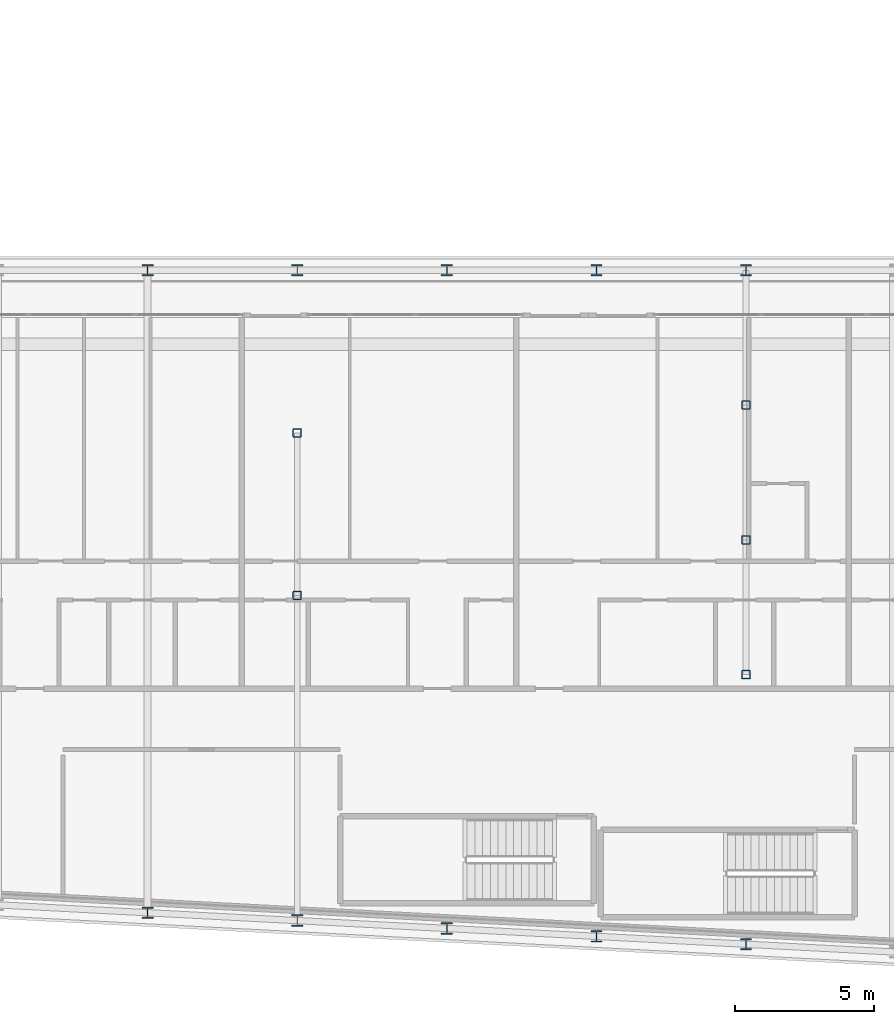
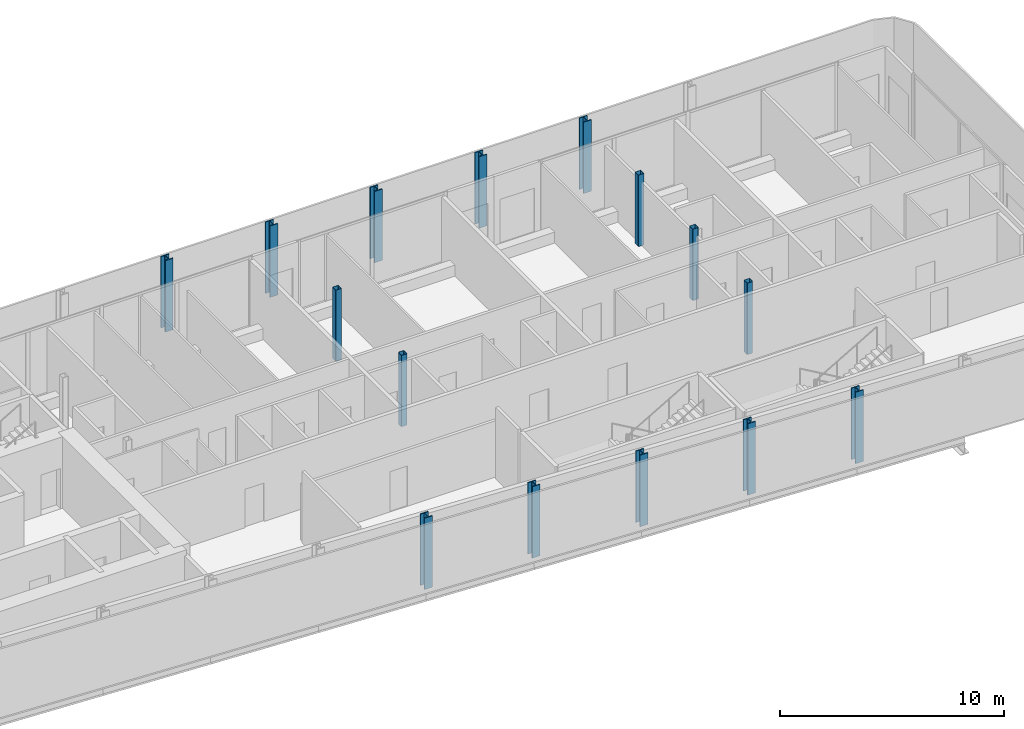
# One storey, part 2 of 30: 15 columns.
"""IFC4 building model written with IfcOpenShell, lengths in metres."""

from ifc_helpers import new_model, si_unit, direction, frame, origin, origin_2d, place, context, subcontext, project, spatial, hollow_rectangle, i_section, extrude, material, material_profile, profile_set, type_object, element, save


model = new_model("IFC4")

# Units and contexts
model_context = context("Model", 3, precision=1e-05, world=origin(), true_north=direction((0.0, 1.0)))
body_context = subcontext(model_context, "Body", "Model", "MODEL_VIEW")
ifc_project = project(units=[si_unit("LENGTHUNIT", "METRE"), si_unit("AREAUNIT", "SQUARE_METRE"), si_unit("VOLUMEUNIT", "CUBIC_METRE"), si_unit("PLANEANGLEUNIT", "RADIAN"), si_unit("MASSUNIT", "GRAM", prefix="KILO")], contexts=[model_context])

# Site, building, storey
site_placement = place(None, origin())
site = spatial("IfcSite", under=ifc_project, at=site_placement, CompositionType="ELEMENT")
building_placement = place(site_placement, origin())
building = spatial("IfcBuilding", under=site, at=building_placement, Name="Kheshtan School and Residences Tower", CompositionType="ELEMENT")
storey_placement = place(building_placement, frame((0.0, 0.0, 195.5)))
storey = spatial("IfcBuildingStorey", under=building, at=storey_placement, Name="L46", CompositionType="ELEMENT", Elevation=195.5)

# Columns
ifc_material_1 = material(Name="Steel ASTM A992 Grade 50", Category="steel")
ifc_material_profile_1 = material_profile(ifc_material_1, i_section(OverallWidth=0.408935546875, OverallDepth=0.425048828125, WebThickness=0.03271484375, FlangeThickness=0.052490234375, FilletRadius=0.0126953125, at=origin_2d()), Name="W360x421")
ifc_profile_set_1 = profile_set([ifc_material_profile_1], Name="Steel ASTM A992 Grade 50")
column_type_1 = type_object("IfcColumnType", Name="Column C3 W360x421 ASTM A992 Grade 50", PredefinedType="COLUMN", material=ifc_profile_set_1)
for number, where, z_axis, x_axis, name in (
    (1, (85.39990234375, 21.27392578125, 0.0), (0.0, 0.0, 1.0), (1.0, 0.0, 0.0), "Column C008"),
    (2, (80.0, 21.55810546875, 0.0), (0.0, 0.0, 1.0), (1.0, 0.0, 0.0), "Column C012"),
    (3, (74.60009765625, 21.843017578125, 0.0), (0.0, 0.0, 1.0), (1.0, 0.0, 0.0), "Column C013"),
    (4, (69.199951171875, 22.126953125, 0.0), (0.0, 0.0, 1.0), (1.0, 0.0, 0.0), "Column C014"),
    (5, (63.800048828125, 22.410888671875, 0.0), (0.0, 0.0, 1.0), (1.0, 0.0, 0.0), "Column C016"),
    (6, (63.800048828125, 45.60009765625, 0.0), (0.0, 0.0, 1.0), (1.0, 0.0, 0.0), "Column C063"),
    (7, (69.199951171875, 45.60009765625, 0.0), (0.0, 0.0, 1.0), (1.0, 0.0, 0.0), "Column C064"),
    (8, (74.60009765625, 45.60009765625, 0.0), (0.0, 0.0, 1.0), (1.0, 0.0, 0.0), "Column C065"),
    (9, (80.0, 45.60009765625, 0.0), (0.0, 0.0, 1.0), (1.0, 0.0, 0.0), "Column C066"),
    (10, (85.39990234375, 45.60009765625, 0.0), (0.0, 0.0, 1.0), (1.0, 0.0, 0.0), "Column C067"),
):
    element("IfcColumn", number, at=place(storey_placement, frame(where, z_axis=z_axis, x_axis=x_axis)), inside=storey, type_object=column_type_1, Name=name, PredefinedType="COLUMN", context=body_context, shape_type="SweptSolid", body=[
        extrude(i_section(OverallWidth=0.408935546875, OverallDepth=0.425048828125, WebThickness=0.03271484375, FlangeThickness=0.052490234375, FilletRadius=0.0126953125, at=origin_2d()), origin(), (0.0, 0.0, 1.0), 3.89990234375),
    ])
ifc_material_2 = material(Name="Steel ASTM A500 Grade C", Category="steel")
ifc_material_profile_2 = material_profile(ifc_material_2, hollow_rectangle(XDim=0.304931640625, YDim=0.304931640625, WallThickness=0.015869140625, InnerFilletRadius=0.015869140625, OuterFilletRadius=0.03173828125, at=origin_2d()), Name="HSS 305x305x15.9")
ifc_profile_set_2 = profile_set([ifc_material_profile_2], Name="Steel ASTM A500 Grade C")
column_type_2 = type_object("IfcColumnType", Name="Column IC2 HSS 305x305x15.9 ASTM A500 Grade C", PredefinedType="COLUMN", material=ifc_profile_set_2)
for number, where, z_axis, x_axis, name in (
    (11, (85.39990234375, 31.0048828125, 0.0), (0.0, 0.0, 1.0), (1.0, 0.0, 0.0), "Column C049"),
    (12, (69.199951171875, 33.863037109375, 0.0), (0.0, 0.0, 1.0), (1.0, 0.0, 0.0), "Column C050"),
    (13, (85.39990234375, 35.8701171875, 0.0), (0.0, 0.0, 1.0), (1.0, 0.0, 0.0), "Column C053"),
    (14, (69.199951171875, 39.73193359375, 0.0), (0.0, 0.0, 1.0), (1.0, 0.0, 0.0), "Column C054"),
    (15, (85.39990234375, 40.735107421875, 0.0), (0.0, 0.0, 1.0), (1.0, 0.0, 0.0), "Column C057"),
):
    element("IfcColumn", number, at=place(storey_placement, frame(where, z_axis=z_axis, x_axis=x_axis)), inside=storey, type_object=column_type_2, Name=name, PredefinedType="COLUMN", context=body_context, shape_type="SweptSolid", body=[
        extrude(hollow_rectangle(XDim=0.304931640625, YDim=0.304931640625, WallThickness=0.015869140625, InnerFilletRadius=0.015869140625, OuterFilletRadius=0.03173828125, at=origin_2d()), origin(), (0.0, 0.0, 1.0), 3.89990234375),
    ])

save(model, "model.ifc")
